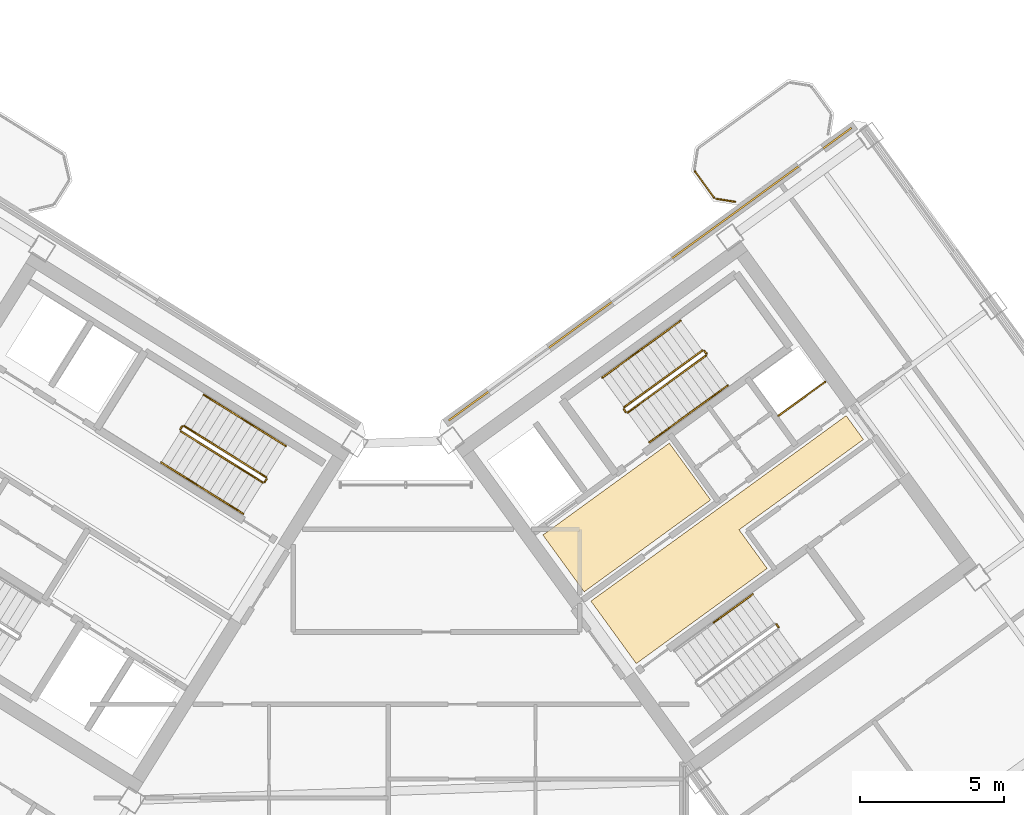
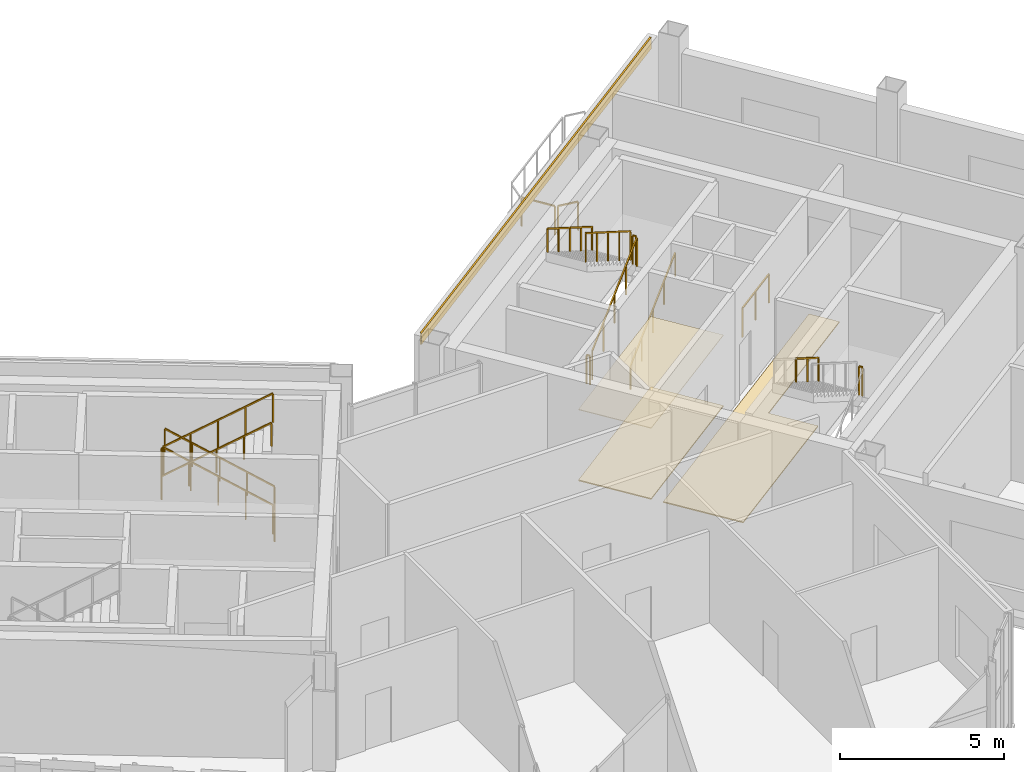
# One storey, part 26 of 27: 21 railings, 4 coverings.
"""IFC4 building model written with IfcOpenShell, lengths in metres."""

from ifc_helpers import new_model, si_unit, direction, frame, origin, origin_2d, place, context, subcontext, project, spatial, polyline, rectangle, outline, extrude, source, transform, mapped, material, layer, layer_set, type_object, element, save


model = new_model("IFC4")

# Units and contexts
model_context = context("Model", 3, precision=1e-05, world=origin(), true_north=direction((0.0, 1.0)))
body_context = subcontext(model_context, "Body", "Model", "MODEL_VIEW")
ifc_project = project(units=[si_unit("LENGTHUNIT", "METRE"), si_unit("AREAUNIT", "SQUARE_METRE"), si_unit("VOLUMEUNIT", "CUBIC_METRE"), si_unit("PLANEANGLEUNIT", "RADIAN"), si_unit("MASSUNIT", "GRAM", prefix="KILO")], contexts=[model_context])

# Site, building, storey
site_placement = place(None, origin())
site = spatial("IfcSite", under=ifc_project, at=site_placement, CompositionType="ELEMENT")
building_placement = place(site_placement, origin())
building = spatial("IfcBuilding", under=site, at=building_placement, Name="Tlacorven Tower", CompositionType="ELEMENT")
storey_placement = place(building_placement, frame((0.0, 0.0, 254.699951171875)))
storey = spatial("IfcBuildingStorey", under=building, at=storey_placement, Name="L64", CompositionType="ELEMENT", Elevation=254.699951171875)

# Coverings
ifc_material_1 = material(Name="Acoustic mineral-fibre ceiling")
ifc_layer_1 = layer(ifc_material_1, 0.02490234375)
ifc_layer_set_1 = layer_set([ifc_layer_1], Name="Acoustic mineral-fibre ceiling")
covering_type_1 = type_object("IfcCoveringType", Name="CV-CLG-ACST", PredefinedType="CEILING", material=ifc_layer_set_1)
covering_1_placement = place(storey_placement, frame((0.0, 0.0, 2.650146484375)))
element("IfcCovering", 1, at=covering_1_placement, inside=storey, type_object=covering_type_1, Name="L64 Acoustic Suspended Ceiling 3", PredefinedType="CEILING", context=body_context, shape_type="SweptSolid", body=[
    extrude(outline(polyline([(48.760498046875, 19.326171875), (47.326171875, 21.300048828125), (51.71923828125, 24.49169921875), (53.1533203125, 22.517822265625), (48.760498046875, 19.326171875)])), origin(), (0.0, 0.0, 1.0), 0.02490234375),
])
ifc_material_2 = material(Name="Terrazzo and ceramic flooring")
ifc_layer_2 = layer(ifc_material_2, 0.0400390625)
ifc_layer_set_2 = layer_set([ifc_layer_2], Name="Terrazzo and ceramic flooring")
covering_type_2 = type_object("IfcCoveringType", Name="CV-FLR-TERZ", PredefinedType="FLOORING", material=ifc_layer_set_2)
covering_2_placement = place(storey_placement, origin())
element("IfcCovering", 2, at=covering_2_placement, inside=storey, type_object=covering_type_2, Name="L64 Terrazzo Floor Finish 3", PredefinedType="FLOORING", context=body_context, shape_type="SweptSolid", body=[
    extrude(outline(polyline([(48.760498046875, 19.326171875), (47.326171875, 21.300048828125), (51.71923828125, 24.49169921875), (53.1533203125, 22.517822265625), (48.760498046875, 19.326171875)])), origin(), (0.0, 0.0, 1.0), 0.0400390625),
])
covering_3_placement = place(storey_placement, origin())
element("IfcCovering", 3, at=covering_3_placement, inside=storey, type_object=covering_type_2, Name="L64 Terrazzo Floor Finish 4", PredefinedType="FLOORING", context=body_context, shape_type="SweptSolid", body=[
    extrude(outline(polyline([(50.57080078125, 16.834228515625), (48.99560546875, 19.00244140625), (57.8623046875, 25.444580078125), (58.4619140625, 24.619384765625), (54.141845703125, 21.480712890625), (55.117431640625, 20.1376953125), (50.57080078125, 16.834228515625)])), origin(), (0.0, 0.0, 1.0), 0.0400390625),
])

# Railings
ifc_material_3 = material(Name="Aluminium and painted steel balustrade", Category="steel")
railing_type_1 = type_object("IfcRailingType", Name="RL-GRD-1100", PredefinedType="GUARDRAIL", material=ifc_material_3)
shared_shape_1 = source(origin(), body_context, "Body", "SweptSolid", [
    extrude(rectangle(XDim=0.048095703125, YDim=0.048095703125, at=origin_2d()), frame((0.0, 0.0, 1.076171875), z_axis=(0.808947177504, 0.587881334972, 0.0), x_axis=(-0.587881334972, 0.808947177504, 0.0)), (0.0, 0.0, 1.0), 2.0),
    extrude(rectangle(XDim=0.0419921875, YDim=0.0419921875, at=origin_2d()), origin(), (0.0, 0.0, 1.0), 1.052001953125),
    extrude(rectangle(XDim=0.0419921875, YDim=0.0419921875, at=origin_2d()), frame((0.80908203125, 0.587890625, 0.0)), (0.0, 0.0, 1.0), 1.052001953125),
    extrude(rectangle(XDim=0.0419921875, YDim=0.0419921875, at=origin_2d()), frame((1.617919921875, 1.17578125, 0.0)), (0.0, 0.0, 1.0), 1.052001953125),
])
railing_1_placement = place(storey_placement, frame((55.506103515625, 25.438232421875, 0.0)))
element("IfcRailing", 4, at=railing_1_placement, inside=storey, type_object=railing_type_1, Name="L64 Electrical Riser E Shaft Guard 1", PredefinedType="GUARDRAIL", context=body_context, shape_type="MappedRepresentation", body=[
    mapped(shared_shape_1, transform((0.0, 0.0, 0.0), scale=1.0)),
])
railing_type_2 = type_object("IfcRailingType", Name="RL-BAL-1100", PredefinedType="BALUSTRADE", material=ifc_material_3)
shared_shape_2 = source(origin(), body_context, "Body", "SweptSolid", [
    extrude(rectangle(XDim=0.048095703125, YDim=0.048095703125, at=origin_2d()), frame((0.0, 0.0, 1.076171875), z_axis=(-0.987718317463, 0.156245081039, 0.0), x_axis=(-0.156245081039, -0.987718317463, 0.0)), (0.0, 0.0, 1.0), 0.66552734375),
    extrude(rectangle(XDim=0.0419921875, YDim=0.0419921875, at=origin_2d()), origin(), (0.0, 0.0, 1.0), 1.052001953125),
    extrude(rectangle(XDim=0.0419921875, YDim=0.0419921875, at=origin_2d()), frame((-0.657470703125, 0.10400390625, 0.0)), (0.0, 0.0, 1.0), 1.052001953125),
])
railing_2_placement = place(storey_placement, frame((54.00341796875, 32.8759765625, 0.0)))
element("IfcRailing", 5, at=railing_2_placement, inside=storey, type_object=railing_type_2, Name="BAL-L64-E-IN Guard Railing 1", PredefinedType="BALUSTRADE", context=body_context, shape_type="MappedRepresentation", body=[
    mapped(shared_shape_2, transform((0.0, 0.0, 0.0), scale=1.0)),
])
shared_shape_3 = source(origin(), body_context, "Body", "SweptSolid", [
    extrude(rectangle(XDim=0.048095703125, YDim=0.048095703125, at=origin_2d()), frame((0.0, 0.0, 1.076171875), z_axis=(-0.587740817519, 0.809049276263, 0.0), x_axis=(-0.809049276263, -0.587740817519, 0.0)), (0.0, 0.0, 1.0), 1.112060546875),
    extrude(rectangle(XDim=0.0419921875, YDim=0.0419921875, at=origin_2d()), origin(), (0.0, 0.0, 1.0), 1.052001953125),
    extrude(rectangle(XDim=0.0419921875, YDim=0.0419921875, at=origin_2d()), frame((-0.653564453125, 0.899658203125, 0.0)), (0.0, 0.0, 1.0), 1.052001953125),
])
railing_3_placement = place(storey_placement, frame((53.26708984375, 33.0283203125, 0.0)))
element("IfcRailing", 6, at=railing_3_placement, inside=storey, type_object=railing_type_2, Name="BAL-L64-E-IN Guard Railing 2", PredefinedType="BALUSTRADE", context=body_context, shape_type="MappedRepresentation", body=[
    mapped(shared_shape_3, transform((0.0, 0.0, 0.0), scale=1.0)),
])

# Covering
ifc_material_4 = material(Name="Precast concrete C45/55", Category="concrete")
ifc_layer_3 = layer(ifc_material_4, 0.06005859375)
ifc_layer_set_3 = layer_set([ifc_layer_3], Name="Precast concrete C45/55")
covering_type_3 = type_object("IfcCoveringType", Name="CV-CLD-TERC", PredefinedType="CLADDING", material=ifc_layer_set_3)
shared_shape_4 = source(origin(), body_context, "Body", "SweptSolid", [
    extrude(rectangle(XDim=17.287353515625, YDim=0.06005859375, at=origin_2d()), origin(), (0.0, 0.0, 1.0), 0.419921875),
])
covering_4_placement = place(storey_placement, frame((51.05224609375, 30.360595703125, 3.830078125), z_axis=(0.0, 0.0, 1.0), x_axis=(0.809017097486, 0.587785110372, 0.0)))
element("IfcCovering", 7, at=covering_4_placement, inside=storey, type_object=covering_type_3, Name="L64 Masonry-Frame Spandrel Cladding 4", PredefinedType="CLADDING", context=body_context, shape_type="MappedRepresentation", body=[
    mapped(shared_shape_4, transform((0.0, 0.0, 0.0), scale=1.0)),
])

# Railings
shared_shape_5 = source(origin(), body_context, "Body", "SweptSolid", [
    extrude(rectangle(XDim=0.048095703125, YDim=0.048095703125, at=origin_2d()), frame((0.0, 0.0, 1.076171875), z_axis=(-0.530546985787, -0.847655529016, 0.0), x_axis=(0.847655529016, -0.530546985787, 0.0)), (0.0, 0.0, 1.0), 0.1201171875),
    extrude(rectangle(XDim=0.0419921875, YDim=0.0419921875, at=origin_2d()), origin(), (0.0, 0.0, 1.0), 1.052001953125),
    extrude(rectangle(XDim=0.0419921875, YDim=0.0419921875, at=origin_2d()), frame((-0.063720703125, -0.101806640625, 0.0)), (0.0, 0.0, 1.0), 1.052001953125),
])
for number, where, name in (
    (8, (34.7939453125, 25.07421875, 2.25), "L64 ST-W2 stair guard 2"),
    (9, (37.728271484375, 23.24072265625, 0.0), "L64 ST-W2 stair guard 4"),
):
    element("IfcRailing", number, at=place(storey_placement, frame(where)), inside=storey, type_object=railing_type_1, Name=name, PredefinedType="GUARDRAIL", context=body_context, shape_type="MappedRepresentation", body=[
        mapped(shared_shape_5, transform((0.0, 0.0, 0.0), scale=1.0)),
    ])
shared_shape_6 = source(origin(), body_context, "Body", "SweptSolid", [
    extrude(rectangle(XDim=0.048095703125, YDim=0.048095703125, at=origin_2d()), frame((0.0, 0.0, 1.076171875), z_axis=(-0.721354668439, 0.45076168254, 0.525795918465), x_axis=(-0.529927092104, -0.84804320471, 0.0)), (0.0, 0.0, 1.0), 3.949951171875),
    extrude(rectangle(XDim=0.0419921875, YDim=0.0419921875, at=origin_2d()), origin(), (0.0, 0.0, 1.0), 1.052001953125),
    extrude(rectangle(XDim=0.0419921875, YDim=0.0419921875, at=origin_2d()), frame((-0.71240234375, 0.445068359375, 0.519287109375)), (0.0, 0.0, 1.0), 1.052001953125),
    extrude(rectangle(XDim=0.0419921875, YDim=0.0419921875, at=origin_2d()), frame((-1.4248046875, 0.89013671875, 1.03857421875)), (0.0, 0.0, 1.0), 1.052001953125),
    extrude(rectangle(XDim=0.0419921875, YDim=0.0419921875, at=origin_2d()), frame((-2.136962890625, 1.33544921875, 1.5576171875)), (0.0, 0.0, 1.0), 1.052001953125),
    extrude(rectangle(XDim=0.0419921875, YDim=0.0419921875, at=origin_2d()), frame((-2.849365234375, 1.780517578125, 2.076904296875)), (0.0, 0.0, 1.0), 1.052001953125),
])
railing_4_placement = place(storey_placement, frame((37.712158203125, 23.3095703125, 0.173095703125)))
element("IfcRailing", 10, at=railing_4_placement, inside=storey, type_object=railing_type_1, Name="L64 ST-W2 stair guard 1", PredefinedType="GUARDRAIL", context=body_context, shape_type="MappedRepresentation", body=[
    mapped(shared_shape_6, transform((0.0, 0.0, 0.0), scale=1.0)),
])
railing_type_3 = type_object("IfcRailingType", Name="RL-HND-0900", PredefinedType="HANDRAIL", material=ifc_material_3)
shared_shape_7 = source(origin(), body_context, "Body", "SweptSolid", [
    extrude(rectangle(XDim=0.048095703125, YDim=0.048095703125, at=origin_2d()), frame((0.0, 0.0, 0.8759765625), z_axis=(-0.721340775611, 0.4507761838, 0.52580254617), x_axis=(-0.529946692594, -0.848030956397, 0.0)), (0.0, 0.0, 1.0), 1.97509765625),
    extrude(rectangle(XDim=0.0419921875, YDim=0.0419921875, at=origin_2d()), origin(), (0.0, 0.0, 1.0), 0.851806640625),
    extrude(rectangle(XDim=0.0419921875, YDim=0.0419921875, at=origin_2d()), frame((-0.71240234375, 0.4453125, 0.519287109375)), (0.0, 0.0, 1.0), 0.851806640625),
    extrude(rectangle(XDim=0.0419921875, YDim=0.0419921875, at=origin_2d()), frame((-1.4248046875, 0.890380859375, 1.03857421875)), (0.0, 0.0, 1.0), 0.851806640625),
])
railing_5_placement = place(storey_placement, frame((38.390625, 24.39501953125, 0.173095703125)))
element("IfcRailing", 11, at=railing_5_placement, inside=storey, type_object=railing_type_3, Name="L64 ST-W2 stair handrail 1", PredefinedType="HANDRAIL", context=body_context, shape_type="MappedRepresentation", body=[
    mapped(shared_shape_7, transform((0.0, 0.0, 0.0), scale=1.0)),
])
shared_shape_8 = source(origin(), body_context, "Body", "SweptSolid", [
    extrude(rectangle(XDim=0.048095703125, YDim=0.048095703125, at=origin_2d()), frame((0.0, 0.0, 0.8759765625), z_axis=(-0.721427851237, 0.45070698177, 0.525742400842), x_axis=(-0.52984217967, -0.848096259066, 0.0)), (0.0, 0.0, 1.0), 1.97509765625),
    extrude(rectangle(XDim=0.0419921875, YDim=0.0419921875, at=origin_2d()), origin(), (0.0, 0.0, 1.0), 0.851806640625),
    extrude(rectangle(XDim=0.0419921875, YDim=0.0419921875, at=origin_2d()), frame((-0.71240234375, 0.445068359375, 0.51904296875)), (0.0, 0.0, 1.0), 0.851806640625),
    extrude(rectangle(XDim=0.0419921875, YDim=0.0419921875, at=origin_2d()), frame((-1.4248046875, 0.89013671875, 1.038330078125)), (0.0, 0.0, 1.0), 0.851806640625),
])
railing_6_placement = place(storey_placement, frame((36.9658203125, 25.285400390625, 1.211669921875)))
element("IfcRailing", 12, at=railing_6_placement, inside=storey, type_object=railing_type_3, Name="L64 ST-W2 stair handrail 2", PredefinedType="HANDRAIL", context=body_context, shape_type="MappedRepresentation", body=[
    mapped(shared_shape_8, transform((0.0, 0.0, 0.0), scale=1.0)),
])
shared_shape_9 = source(origin(), body_context, "Body", "SweptSolid", [
    extrude(rectangle(XDim=0.048095703125, YDim=0.048095703125, at=origin_2d()), frame((0.0, 0.0, 0.8759765625), z_axis=(0.721387654753, -0.450805479247, 0.525713107551), x_axis=(0.529946692594, 0.848030956397, 0.0)), (0.0, 0.0, 1.0), 1.97509765625),
    extrude(rectangle(XDim=0.0419921875, YDim=0.0419921875, at=origin_2d()), origin(), (0.0, 0.0, 1.0), 0.851806640625),
    extrude(rectangle(XDim=0.0419921875, YDim=0.0419921875, at=origin_2d()), frame((0.71240234375, -0.4453125, 0.51904296875)), (0.0, 0.0, 1.0), 0.851806640625),
    extrude(rectangle(XDim=0.0419921875, YDim=0.0419921875, at=origin_2d()), frame((1.4248046875, -0.890380859375, 1.038330078125)), (0.0, 0.0, 1.0), 0.851806640625),
])
railing_7_placement = place(storey_placement, frame((35.49267578125, 22.927734375, 3.461669921875)))
element("IfcRailing", 13, at=railing_7_placement, inside=storey, type_object=railing_type_3, Name="L64 ST-W2 stair handrail 4", PredefinedType="HANDRAIL", context=body_context, shape_type="MappedRepresentation", body=[
    mapped(shared_shape_9, transform((0.0, 0.0, 0.0), scale=1.0)),
])
shared_shape_10 = source(origin(), body_context, "Body", "SweptSolid", [
    extrude(rectangle(XDim=0.048095703125, YDim=0.048095703125, at=origin_2d()), frame((0.0, 0.0, 1.076171875), z_axis=(0.721354668439, -0.45076168254, 0.525795918465), x_axis=(0.529927092104, 0.84804320471, 0.0)), (0.0, 0.0, 1.0), 3.949951171875),
    extrude(rectangle(XDim=0.0419921875, YDim=0.0419921875, at=origin_2d()), origin(), (0.0, 0.0, 1.0), 1.052001953125),
    extrude(rectangle(XDim=0.0419921875, YDim=0.0419921875, at=origin_2d()), frame((0.71240234375, -0.445068359375, 0.519287109375)), (0.0, 0.0, 1.0), 1.052001953125),
    extrude(rectangle(XDim=0.0419921875, YDim=0.0419921875, at=origin_2d()), frame((1.4248046875, -0.89013671875, 1.03857421875)), (0.0, 0.0, 1.0), 1.052001953125),
    extrude(rectangle(XDim=0.0419921875, YDim=0.0419921875, at=origin_2d()), frame((2.136962890625, -1.33544921875, 1.5576171875)), (0.0, 0.0, 1.0), 1.052001953125),
    extrude(rectangle(XDim=0.0419921875, YDim=0.0419921875, at=origin_2d()), frame((2.849365234375, -1.780517578125, 2.076904296875)), (0.0, 0.0, 1.0), 1.052001953125),
])
railing_8_placement = place(storey_placement, frame((34.746337890625, 24.903564453125, 2.423095703125)))
element("IfcRailing", 14, at=railing_8_placement, inside=storey, type_object=railing_type_1, Name="L64 ST-W2 stair guard 3", PredefinedType="GUARDRAIL", context=body_context, shape_type="MappedRepresentation", body=[
    mapped(shared_shape_10, transform((0.0, 0.0, 0.0), scale=1.0)),
])
shared_shape_11 = source(origin(), body_context, "Body", "SweptSolid", [
    extrude(rectangle(XDim=0.048095703125, YDim=0.048095703125, at=origin_2d()), frame((0.0, 0.0, 0.8759765625), z_axis=(0.721380964259, -0.45067768946, 0.525831840637), x_axis=(0.52984217967, 0.848096259066, 0.0)), (0.0, 0.0, 1.0), 1.97509765625),
    extrude(rectangle(XDim=0.0419921875, YDim=0.0419921875, at=origin_2d()), origin(), (0.0, 0.0, 1.0), 0.851806640625),
    extrude(rectangle(XDim=0.0419921875, YDim=0.0419921875, at=origin_2d()), frame((0.71240234375, -0.445068359375, 0.519287109375)), (0.0, 0.0, 1.0), 0.851806640625),
    extrude(rectangle(XDim=0.0419921875, YDim=0.0419921875, at=origin_2d()), frame((1.4248046875, -0.89013671875, 1.03857421875)), (0.0, 0.0, 1.0), 0.851806640625),
])
railing_9_placement = place(storey_placement, frame((34.06787109375, 23.81787109375, 2.423095703125)))
element("IfcRailing", 15, at=railing_9_placement, inside=storey, type_object=railing_type_3, Name="L64 ST-W2 stair handrail 3", PredefinedType="HANDRAIL", context=body_context, shape_type="MappedRepresentation", body=[
    mapped(shared_shape_11, transform((0.0, 0.0, 0.0), scale=1.0)),
])
shared_shape_12 = source(origin(), body_context, "Body", "SweptSolid", [
    extrude(rectangle(XDim=0.048095703125, YDim=0.048095703125, at=origin_2d()), frame((0.0, 0.0, 1.076171875), z_axis=(-0.587567097037, 0.809175448515, 0.0), x_axis=(-0.809175448515, -0.587567097037, 0.0)), (0.0, 0.0, 1.0), 0.1201171875),
    extrude(rectangle(XDim=0.0419921875, YDim=0.0419921875, at=origin_2d()), origin(), (0.0, 0.0, 1.0), 1.052001953125),
    extrude(rectangle(XDim=0.0419921875, YDim=0.0419921875, at=origin_2d()), frame((-0.070556640625, 0.09716796875, 0.0)), (0.0, 0.0, 1.0), 1.052001953125),
])
for number, where, name in (
    (16, (53.006591796875, 27.6025390625, 2.25), "L64 ST-E1 stair guard 2"),
    (17, (55.510498046875, 18.099365234375, 2.25), "L64 ST-E2 stair guard 2"),
):
    element("IfcRailing", number, at=place(storey_placement, frame(where)), inside=storey, type_object=railing_type_1, Name=name, PredefinedType="GUARDRAIL", context=body_context, shape_type="MappedRepresentation", body=[
        mapped(shared_shape_12, transform((0.0, 0.0, 0.0), scale=1.0)),
    ])
shared_shape_13 = source(origin(), body_context, "Body", "SweptSolid", [
    extrude(rectangle(XDim=0.048095703125, YDim=0.048095703125, at=origin_2d()), frame((0.0, 0.0, 1.076171875), z_axis=(-0.587201422542, 0.809440849824, 0.0), x_axis=(-0.809440849824, -0.587201422542, 0.0)), (0.0, 0.0, 1.0), 0.11962890625),
    extrude(rectangle(XDim=0.0419921875, YDim=0.0419921875, at=origin_2d()), origin(), (0.0, 0.0, 1.0), 1.052001953125),
    extrude(rectangle(XDim=0.0419921875, YDim=0.0419921875, at=origin_2d()), frame((-0.0703125, 0.096923828125, 0.0)), (0.0, 0.0, 1.0), 1.052001953125),
])
railing_10_placement = place(storey_placement, frame((50.207275390625, 25.56884765625, 0.0)))
element("IfcRailing", 18, at=railing_10_placement, inside=storey, type_object=railing_type_1, Name="L64 ST-E1 stair guard 4", PredefinedType="GUARDRAIL", context=body_context, shape_type="MappedRepresentation", body=[
    mapped(shared_shape_13, transform((0.0, 0.0, 0.0), scale=1.0)),
])
shared_shape_14 = source(origin(), body_context, "Body", "SweptSolid", [
    extrude(rectangle(XDim=0.048095703125, YDim=0.048095703125, at=origin_2d()), frame((0.0, 0.0, 1.076171875), z_axis=(0.688166980386, 0.499962520599, 0.525798141023), x_axis=(-0.587769819143, 0.809028206989, 0.0)), (0.0, 0.0, 1.0), 3.949951171875),
    extrude(rectangle(XDim=0.0419921875, YDim=0.0419921875, at=origin_2d()), origin(), (0.0, 0.0, 1.0), 1.052001953125),
    extrude(rectangle(XDim=0.0419921875, YDim=0.0419921875, at=origin_2d()), frame((0.6796875, 0.49365234375, 0.519287109375)), (0.0, 0.0, 1.0), 1.052001953125),
    extrude(rectangle(XDim=0.0419921875, YDim=0.0419921875, at=origin_2d()), frame((1.359130859375, 0.9873046875, 1.03857421875)), (0.0, 0.0, 1.0), 1.052001953125),
    extrude(rectangle(XDim=0.0419921875, YDim=0.0419921875, at=origin_2d()), frame((2.03857421875, 1.481201171875, 1.5576171875)), (0.0, 0.0, 1.0), 1.052001953125),
    extrude(rectangle(XDim=0.0419921875, YDim=0.0419921875, at=origin_2d()), frame((2.71826171875, 1.974853515625, 2.076904296875)), (0.0, 0.0, 1.0), 1.052001953125),
])
railing_11_placement = place(storey_placement, frame((50.27734375, 25.557861328125, 0.173095703125)))
element("IfcRailing", 19, at=railing_11_placement, inside=storey, type_object=railing_type_1, Name="L64 ST-E1 stair guard 1", PredefinedType="GUARDRAIL", context=body_context, shape_type="MappedRepresentation", body=[
    mapped(shared_shape_14, transform((0.0, 0.0, 0.0), scale=1.0)),
])
shared_shape_15 = source(origin(), body_context, "Body", "SweptSolid", [
    extrude(rectangle(XDim=0.048095703125, YDim=0.048095703125, at=origin_2d()), frame((0.0, 0.0, 1.076171875), z_axis=(-0.688166980386, -0.499962520599, 0.525798141023), x_axis=(0.587769819143, -0.809028206989, 0.0)), (0.0, 0.0, 1.0), 3.949951171875),
    extrude(rectangle(XDim=0.0419921875, YDim=0.0419921875, at=origin_2d()), origin(), (0.0, 0.0, 1.0), 1.052001953125),
    extrude(rectangle(XDim=0.0419921875, YDim=0.0419921875, at=origin_2d()), frame((-0.6796875, -0.49365234375, 0.519287109375)), (0.0, 0.0, 1.0), 1.052001953125),
    extrude(rectangle(XDim=0.0419921875, YDim=0.0419921875, at=origin_2d()), frame((-1.359130859375, -0.9873046875, 1.03857421875)), (0.0, 0.0, 1.0), 1.052001953125),
    extrude(rectangle(XDim=0.0419921875, YDim=0.0419921875, at=origin_2d()), frame((-2.03857421875, -1.481201171875, 1.5576171875)), (0.0, 0.0, 1.0), 1.052001953125),
    extrude(rectangle(XDim=0.0419921875, YDim=0.0419921875, at=origin_2d()), frame((-2.71826171875, -1.974853515625, 2.076904296875)), (0.0, 0.0, 1.0), 1.052001953125),
])
railing_12_placement = place(storey_placement, frame((52.8662109375, 27.710693359375, 2.423095703125)))
element("IfcRailing", 20, at=railing_12_placement, inside=storey, type_object=railing_type_1, Name="L64 ST-E1 stair guard 3", PredefinedType="GUARDRAIL", context=body_context, shape_type="MappedRepresentation", body=[
    mapped(shared_shape_15, transform((0.0, 0.0, 0.0), scale=1.0)),
])
shared_shape_16 = source(origin(), body_context, "Body", "SweptSolid", [
    extrude(rectangle(XDim=0.048095703125, YDim=0.048095703125, at=origin_2d()), frame((0.0, 0.0, 0.8759765625), z_axis=(0.688123352181, 0.499992627909, 0.525826610414), x_axis=(-0.587817375869, 0.808993654256, 0.0)), (0.0, 0.0, 1.0), 1.97509765625),
    extrude(rectangle(XDim=0.0419921875, YDim=0.0419921875, at=origin_2d()), origin(), (0.0, 0.0, 1.0), 0.851806640625),
    extrude(rectangle(XDim=0.0419921875, YDim=0.0419921875, at=origin_2d()), frame((0.6796875, 0.49365234375, 0.519287109375)), (0.0, 0.0, 1.0), 0.851806640625),
    extrude(rectangle(XDim=0.0419921875, YDim=0.0419921875, at=origin_2d()), frame((1.359130859375, 0.987548828125, 1.03857421875)), (0.0, 0.0, 1.0), 0.851806640625),
])
railing_13_placement = place(storey_placement, frame((51.029541015625, 24.522216796875, 0.173095703125)))
element("IfcRailing", 21, at=railing_13_placement, inside=storey, type_object=railing_type_3, Name="L64 ST-E1 stair handrail 1", PredefinedType="HANDRAIL", context=body_context, shape_type="MappedRepresentation", body=[
    mapped(shared_shape_16, transform((0.0, 0.0, 0.0), scale=1.0)),
])
shared_shape_17 = source(origin(), body_context, "Body", "SweptSolid", [
    extrude(rectangle(XDim=0.048095703125, YDim=0.048095703125, at=origin_2d()), frame((0.0, 0.0, 0.8759765625), z_axis=(0.688210611632, 0.49993240766, 0.525769666117), x_axis=(-0.587722256323, 0.809062759879, 0.0)), (0.0, 0.0, 1.0), 1.974853515625),
    extrude(rectangle(XDim=0.0419921875, YDim=0.0419921875, at=origin_2d()), origin(), (0.0, 0.0, 1.0), 0.851806640625),
    extrude(rectangle(XDim=0.0419921875, YDim=0.0419921875, at=origin_2d()), frame((0.6796875, 0.49365234375, 0.51904296875)), (0.0, 0.0, 1.0), 0.851806640625),
    extrude(rectangle(XDim=0.0419921875, YDim=0.0419921875, at=origin_2d()), frame((1.359130859375, 0.9873046875, 1.038330078125)), (0.0, 0.0, 1.0), 0.851806640625),
])
railing_14_placement = place(storey_placement, frame((52.388671875, 25.509765625, 1.211669921875)))
element("IfcRailing", 22, at=railing_14_placement, inside=storey, type_object=railing_type_3, Name="L64 ST-E1 stair handrail 2", PredefinedType="HANDRAIL", context=body_context, shape_type="MappedRepresentation", body=[
    mapped(shared_shape_17, transform((0.0, 0.0, 0.0), scale=1.0)),
])
shared_shape_18 = source(origin(), body_context, "Body", "SweptSolid", [
    extrude(rectangle(XDim=0.048095703125, YDim=0.048095703125, at=origin_2d()), frame((0.0, 0.0, 0.8759765625), z_axis=(-0.688123352181, -0.499992627909, 0.525826610414), x_axis=(0.587817375869, -0.808993654256, 0.0)), (0.0, 0.0, 1.0), 1.97509765625),
    extrude(rectangle(XDim=0.0419921875, YDim=0.0419921875, at=origin_2d()), origin(), (0.0, 0.0, 1.0), 0.851806640625),
    extrude(rectangle(XDim=0.0419921875, YDim=0.0419921875, at=origin_2d()), frame((-0.6796875, -0.49365234375, 0.519287109375)), (0.0, 0.0, 1.0), 0.851806640625),
    extrude(rectangle(XDim=0.0419921875, YDim=0.0419921875, at=origin_2d()), frame((-1.359130859375, -0.987548828125, 1.03857421875)), (0.0, 0.0, 1.0), 0.851806640625),
])
for number, where, name in (
    (23, (52.11376953125, 28.746337890625, 2.423095703125), "L64 ST-E1 stair handrail 3"),
    (24, (54.617919921875, 19.2431640625, 2.423095703125), "L64 ST-E2 stair handrail 3"),
):
    element("IfcRailing", number, at=place(storey_placement, frame(where)), inside=storey, type_object=railing_type_3, Name=name, PredefinedType="HANDRAIL", context=body_context, shape_type="MappedRepresentation", body=[
        mapped(shared_shape_18, transform((0.0, 0.0, 0.0), scale=1.0)),
    ])
shared_shape_19 = source(origin(), body_context, "Body", "SweptSolid", [
    extrude(rectangle(XDim=0.048095703125, YDim=0.048095703125, at=origin_2d()), frame((0.0, 0.0, 0.8759765625), z_axis=(-0.688168076653, -0.500025124854, 0.525737170829), x_axis=(0.587817375869, -0.808993654256, 0.0)), (0.0, 0.0, 1.0), 1.97509765625),
    extrude(rectangle(XDim=0.0419921875, YDim=0.0419921875, at=origin_2d()), origin(), (0.0, 0.0, 1.0), 0.851806640625),
    extrude(rectangle(XDim=0.0419921875, YDim=0.0419921875, at=origin_2d()), frame((-0.6796875, -0.49365234375, 0.51904296875)), (0.0, 0.0, 1.0), 0.851806640625),
    extrude(rectangle(XDim=0.0419921875, YDim=0.0419921875, at=origin_2d()), frame((-1.359130859375, -0.987548828125, 1.038330078125)), (0.0, 0.0, 1.0), 0.851806640625),
])
railing_15_placement = place(storey_placement, frame((50.754638671875, 27.7587890625, 3.461669921875)))
element("IfcRailing", 25, at=railing_15_placement, inside=storey, type_object=railing_type_3, Name="L64 ST-E1 stair handrail 4", PredefinedType="HANDRAIL", context=body_context, shape_type="MappedRepresentation", body=[
    mapped(shared_shape_19, transform((0.0, 0.0, 0.0), scale=1.0)),
])

save(model, "model.ifc")
